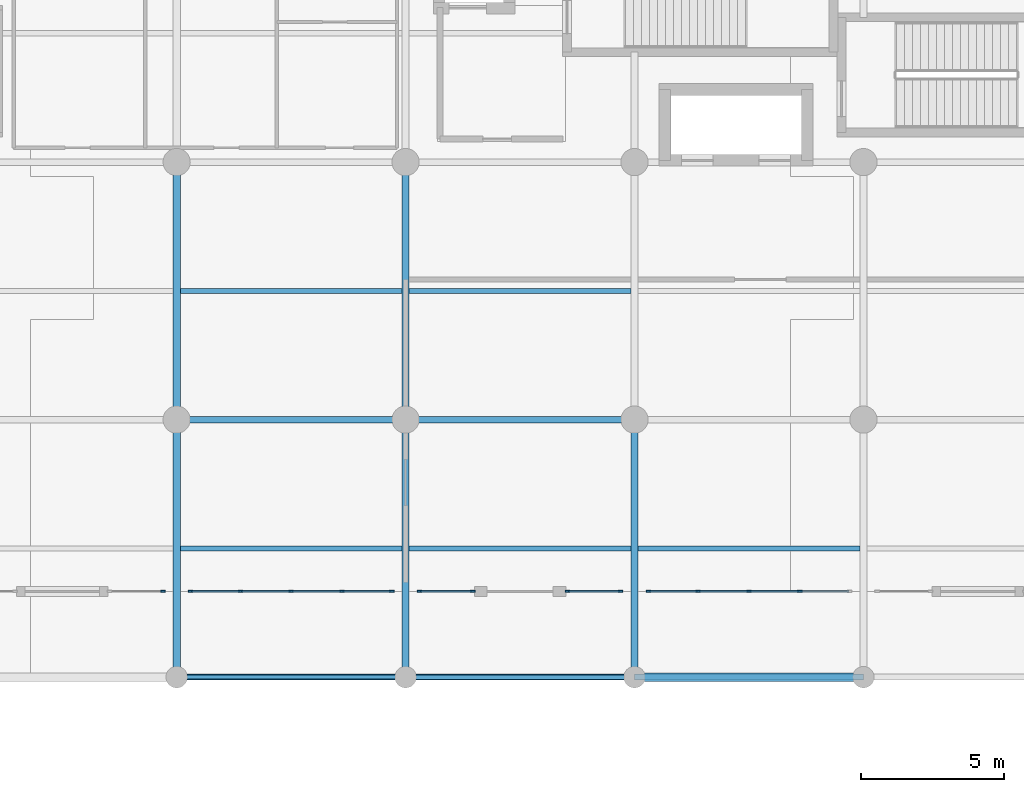
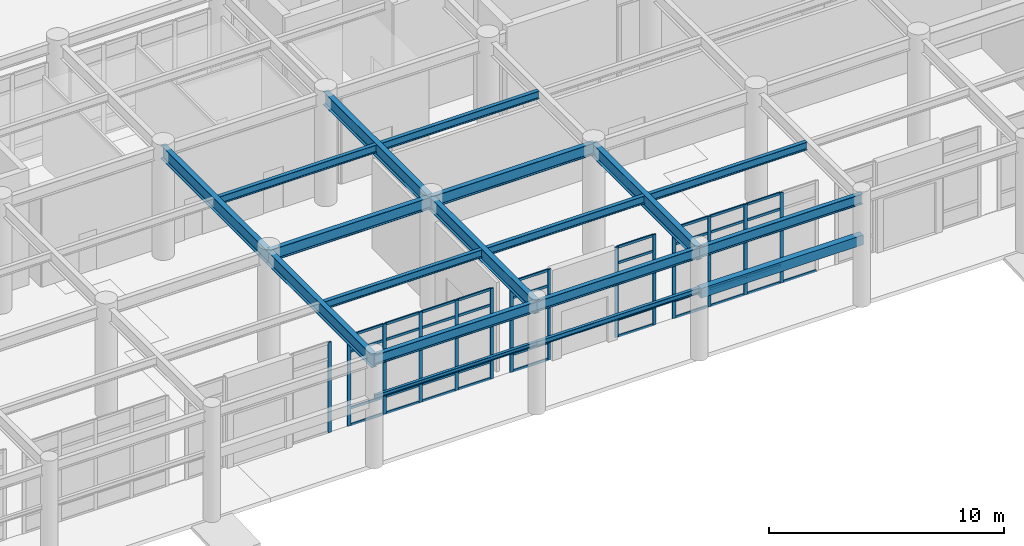
# One storey, part 12 of 49: 51 members, 18 beams, 5 elements without a shape of their own.
"""IFC4 building model written with IfcOpenShell, lengths in metres."""

from ifc_helpers import new_model, si_unit, direction, frame, origin, origin_2d, place, context, subcontext, project, spatial, rectangle, i_section, extrude, material, layer, layer_set, material_profile, profile_set, type_object, element, aggregate, save


model = new_model("IFC4")

# Units and contexts
model_context = context("Model", 3, precision=1e-05, world=origin(), true_north=direction((0.0, 1.0)))
body_context = subcontext(model_context, "Body", "Model", "MODEL_VIEW")
ifc_project = project(units=[si_unit("LENGTHUNIT", "METRE"), si_unit("AREAUNIT", "SQUARE_METRE"), si_unit("VOLUMEUNIT", "CUBIC_METRE"), si_unit("PLANEANGLEUNIT", "RADIAN"), si_unit("MASSUNIT", "GRAM", prefix="KILO")], contexts=[model_context])

# Site, building, storey
site_placement = place(None, origin())
site = spatial("IfcSite", under=ifc_project, at=site_placement, CompositionType="ELEMENT")
building_placement = place(site_placement, origin())
building = spatial("IfcBuilding", under=site, at=building_placement, Name="Tlacozan Convention Centre", CompositionType="ELEMENT")
storey_placement = place(building_placement, origin())
storey = spatial("IfcBuildingStorey", under=building, at=storey_placement, Name="L00", CompositionType="ELEMENT", Elevation=0.0)

# Curtain wall, member
ifc_material_1 = material(Name="Dark Bronze Anodised Aluminium", Category="aluminium")
ifc_layer = layer(ifc_material_1, 0.159912109375)
ifc_layer_set = layer_set([ifc_layer], Name="Dark Bronze Anodised Aluminium")
curtain_wall_type = type_object("IfcCurtainWallType", Name="Unitised Concourse Curtain Wall CW01", PredefinedType="NOTDEFINED", material=ifc_layer_set)
curtain_wall_1_placement = place(storey_placement, origin())
curtain_wall_1 = element("IfcCurtainWall", 1, at=curtain_wall_1_placement, inside=storey, type_object=curtain_wall_type, Name="L00 CW-01 Run 40", PredefinedType="NOTDEFINED")
ifc_material_profile_1 = material_profile(ifc_material_1, rectangle(XDim=0.06494140625, YDim=0.159912109375, at=origin_2d()), Name="ALU 65x160")
ifc_profile_set_1 = profile_set([ifc_material_profile_1], Name="Dark Bronze Anodised Aluminium")
member_type_1 = type_object("IfcMemberType", Name="Curtain Wall Mullion 65x160", PredefinedType="MULLION", material=ifc_profile_set_1)
member_1_placement = place(storey_placement, frame((63.517578125, 3.0, 0.0), z_axis=(0.0, 0.0, 1.0), x_axis=(0.0, 1.0, 0.0)))
member_1 = element("IfcMember", 2, at=member_1_placement, type_object=member_type_1, Name="CW-01 mullion 2", PredefinedType="MULLION", context=body_context, shape_type="SweptSolid", body=[
    extrude(rectangle(XDim=0.06494140625, YDim=0.159912109375, at=origin_2d()), origin(), (0.0, 0.0, 1.0), 4.699951171875),
])
aggregate(curtain_wall_1, [member_1])

# Curtain wall, members
curtain_wall_2_placement = place(storey_placement, origin())
curtain_wall_2 = element("IfcCurtainWall", 3, at=curtain_wall_2_placement, inside=storey, type_object=curtain_wall_type, Name="L00 CW-01 Run 41", PredefinedType="NOTDEFINED")
member_2_placement = place(storey_placement, frame((64.482421875, 3.0, 0.0), z_axis=(0.0, 0.0, 1.0), x_axis=(0.0, 1.0, 0.0)))
member_2 = element("IfcMember", 4, at=member_2_placement, type_object=member_type_1, Name="CW-01 mullion 1", PredefinedType="MULLION", context=body_context, shape_type="SweptSolid", body=[
    extrude(rectangle(XDim=0.06494140625, YDim=0.159912109375, at=origin_2d()), origin(), (0.0, 0.0, 1.0), 4.699951171875),
])
member_3_placement = place(storey_placement, frame((66.22509765625, 3.0, 0.0), z_axis=(0.0, 0.0, 1.0), x_axis=(0.0, 1.0, 0.0)))
member_3 = element("IfcMember", 5, at=member_3_placement, type_object=member_type_1, Name="CW-01 mullion 2", PredefinedType="MULLION", context=body_context, shape_type="SweptSolid", body=[
    extrude(rectangle(XDim=0.06494140625, YDim=0.159912109375, at=origin_2d()), origin(), (0.0, 0.0, 1.0), 4.699951171875),
])
member_4_placement = place(storey_placement, frame((68.0, 3.0, 0.0), z_axis=(0.0, 0.0, 1.0), x_axis=(0.0, 1.0, 0.0)))
member_4 = element("IfcMember", 6, at=member_4_placement, type_object=member_type_1, Name="CW-01 mullion 3", PredefinedType="MULLION", context=body_context, shape_type="SweptSolid", body=[
    extrude(rectangle(XDim=0.06494140625, YDim=0.159912109375, at=origin_2d()), origin(), (0.0, 0.0, 1.0), 4.699951171875),
])
member_5_placement = place(storey_placement, frame((69.77490234375, 3.0, 0.0), z_axis=(0.0, 0.0, 1.0), x_axis=(0.0, 1.0, 0.0)))
member_5 = element("IfcMember", 7, at=member_5_placement, type_object=member_type_1, Name="CW-01 mullion 4", PredefinedType="MULLION", context=body_context, shape_type="SweptSolid", body=[
    extrude(rectangle(XDim=0.06494140625, YDim=0.159912109375, at=origin_2d()), origin(), (0.0, 0.0, 1.0), 4.699951171875),
])
member_6_placement = place(storey_placement, frame((71.517578125, 3.0, 0.0), z_axis=(0.0, 0.0, 1.0), x_axis=(0.0, 1.0, 0.0)))
member_6 = element("IfcMember", 8, at=member_6_placement, type_object=member_type_1, Name="CW-01 mullion 5", PredefinedType="MULLION", context=body_context, shape_type="SweptSolid", body=[
    extrude(rectangle(XDim=0.06494140625, YDim=0.159912109375, at=origin_2d()), origin(), (0.0, 0.0, 1.0), 4.699951171875),
])

curtain_wall_3_placement = place(storey_placement, origin())
curtain_wall_3 = element("IfcCurtainWall", 9, at=curtain_wall_3_placement, inside=storey, type_object=curtain_wall_type, Name="L00 CW-01 Run 42", PredefinedType="NOTDEFINED")
member_7_placement = place(storey_placement, frame((72.482421875, 3.0, 0.0), z_axis=(0.0, 0.0, 1.0), x_axis=(0.0, 1.0, 0.0)))
member_7 = element("IfcMember", 10, at=member_7_placement, type_object=member_type_1, Name="CW-01 mullion 1", PredefinedType="MULLION", context=body_context, shape_type="SweptSolid", body=[
    extrude(rectangle(XDim=0.06494140625, YDim=0.159912109375, at=origin_2d()), origin(), (0.0, 0.0, 1.0), 4.699951171875),
])
member_8_placement = place(storey_placement, frame((74.347412109375, 3.0, 0.0), z_axis=(0.0, 0.0, 1.0), x_axis=(0.0, 1.0, 0.0)))
member_8 = element("IfcMember", 11, at=member_8_placement, type_object=member_type_1, Name="CW-01 mullion 2", PredefinedType="MULLION", context=body_context, shape_type="SweptSolid", body=[
    extrude(rectangle(XDim=0.06494140625, YDim=0.159912109375, at=origin_2d()), origin(), (0.0, 0.0, 1.0), 4.699951171875),
])

curtain_wall_4_placement = place(storey_placement, origin())
curtain_wall_4 = element("IfcCurtainWall", 12, at=curtain_wall_4_placement, inside=storey, type_object=curtain_wall_type, Name="L00 CW-01 Run 43", PredefinedType="NOTDEFINED")
member_9_placement = place(storey_placement, frame((77.652587890625, 3.0, 0.0), z_axis=(0.0, 0.0, 1.0), x_axis=(0.0, 1.0, 0.0)))
member_9 = element("IfcMember", 13, at=member_9_placement, type_object=member_type_1, Name="CW-01 mullion 1", PredefinedType="MULLION", context=body_context, shape_type="SweptSolid", body=[
    extrude(rectangle(XDim=0.06494140625, YDim=0.159912109375, at=origin_2d()), origin(), (0.0, 0.0, 1.0), 4.699951171875),
])
member_10_placement = place(storey_placement, frame((79.517578125, 3.0, 0.0), z_axis=(0.0, 0.0, 1.0), x_axis=(0.0, 1.0, 0.0)))
member_10 = element("IfcMember", 14, at=member_10_placement, type_object=member_type_1, Name="CW-01 mullion 2", PredefinedType="MULLION", context=body_context, shape_type="SweptSolid", body=[
    extrude(rectangle(XDim=0.06494140625, YDim=0.159912109375, at=origin_2d()), origin(), (0.0, 0.0, 1.0), 4.699951171875),
])

curtain_wall_5_placement = place(storey_placement, origin())
curtain_wall_5 = element("IfcCurtainWall", 15, at=curtain_wall_5_placement, inside=storey, type_object=curtain_wall_type, Name="L00 CW-01 Run 44", PredefinedType="NOTDEFINED")
member_11_placement = place(storey_placement, frame((80.482421875, 3.0, 0.0), z_axis=(0.0, 0.0, 1.0), x_axis=(0.0, 1.0, 0.0)))
member_11 = element("IfcMember", 16, at=member_11_placement, type_object=member_type_1, Name="CW-01 mullion 1", PredefinedType="MULLION", context=body_context, shape_type="SweptSolid", body=[
    extrude(rectangle(XDim=0.06494140625, YDim=0.159912109375, at=origin_2d()), origin(), (0.0, 0.0, 1.0), 4.699951171875),
])
member_12_placement = place(storey_placement, frame((82.22509765625, 3.0, 0.0), z_axis=(0.0, 0.0, 1.0), x_axis=(0.0, 1.0, 0.0)))
member_12 = element("IfcMember", 17, at=member_12_placement, type_object=member_type_1, Name="CW-01 mullion 2", PredefinedType="MULLION", context=body_context, shape_type="SweptSolid", body=[
    extrude(rectangle(XDim=0.06494140625, YDim=0.159912109375, at=origin_2d()), origin(), (0.0, 0.0, 1.0), 4.699951171875),
])
member_13_placement = place(storey_placement, frame((84.0, 3.0, 0.0), z_axis=(0.0, 0.0, 1.0), x_axis=(0.0, 1.0, 0.0)))
member_13 = element("IfcMember", 18, at=member_13_placement, type_object=member_type_1, Name="CW-01 mullion 3", PredefinedType="MULLION", context=body_context, shape_type="SweptSolid", body=[
    extrude(rectangle(XDim=0.06494140625, YDim=0.159912109375, at=origin_2d()), origin(), (0.0, 0.0, 1.0), 4.699951171875),
])
member_14_placement = place(storey_placement, frame((85.77490234375, 3.0, 0.0), z_axis=(0.0, 0.0, 1.0), x_axis=(0.0, 1.0, 0.0)))
member_14 = element("IfcMember", 19, at=member_14_placement, type_object=member_type_1, Name="CW-01 mullion 4", PredefinedType="MULLION", context=body_context, shape_type="SweptSolid", body=[
    extrude(rectangle(XDim=0.06494140625, YDim=0.159912109375, at=origin_2d()), origin(), (0.0, 0.0, 1.0), 4.699951171875),
])

# Member
ifc_material_profile_2 = material_profile(ifc_material_1, rectangle(XDim=0.06494140625, YDim=0.125, at=origin_2d()), Name="ALU 65x125")
ifc_profile_set_2 = profile_set([ifc_material_profile_2], Name="Dark Bronze Anodised Aluminium")
member_type_2 = type_object("IfcMemberType", Name="Curtain Wall Transom 65x125", PredefinedType="USERDEFINED", material=ifc_profile_set_2)
member_15_placement = place(storey_placement, frame((64.514892578125, 3.0, 0.032470703125), z_axis=(1.0, 0.0, 0.0), x_axis=(0.0, 1.0, 0.0)))
member_15 = element("IfcMember", 20, at=member_15_placement, type_object=member_type_2, Name="CW-01 transom 1.1", ObjectType="TRANSOM", PredefinedType="USERDEFINED", context=body_context, shape_type="SweptSolid", body=[
    extrude(rectangle(XDim=0.06494140625, YDim=0.125, at=origin_2d()), origin(), (0.0, 0.0, 1.0), 1.677490234375),
])

member_16_placement = place(storey_placement, frame((64.514892578125, 3.0, 0.89990234375), z_axis=(1.0, 0.0, 0.0), x_axis=(0.0, 1.0, 0.0)))
member_16 = element("IfcMember", 21, at=member_16_placement, type_object=member_type_2, Name="CW-01 transom 1.2", ObjectType="TRANSOM", PredefinedType="USERDEFINED", context=body_context, shape_type="SweptSolid", body=[
    extrude(rectangle(XDim=0.06494140625, YDim=0.125, at=origin_2d()), origin(), (0.0, 0.0, 1.0), 1.677490234375),
])

member_17_placement = place(storey_placement, frame((64.514892578125, 3.0, 3.85009765625), z_axis=(1.0, 0.0, 0.0), x_axis=(0.0, 1.0, 0.0)))
member_17 = element("IfcMember", 22, at=member_17_placement, type_object=member_type_2, Name="CW-01 transom 1.3", ObjectType="TRANSOM", PredefinedType="USERDEFINED", context=body_context, shape_type="SweptSolid", body=[
    extrude(rectangle(XDim=0.06494140625, YDim=0.125, at=origin_2d()), origin(), (0.0, 0.0, 1.0), 1.677490234375),
])

member_18_placement = place(storey_placement, frame((64.514892578125, 3.0, 4.66748046875), z_axis=(1.0, 0.0, 0.0), x_axis=(0.0, 1.0, 0.0)))
member_18 = element("IfcMember", 23, at=member_18_placement, type_object=member_type_2, Name="CW-01 transom 1.4", ObjectType="TRANSOM", PredefinedType="USERDEFINED", context=body_context, shape_type="SweptSolid", body=[
    extrude(rectangle(XDim=0.06494140625, YDim=0.125, at=origin_2d()), origin(), (0.0, 0.0, 1.0), 1.677490234375),
])

member_19_placement = place(storey_placement, frame((66.257568359375, 3.0, 0.032470703125), z_axis=(1.0, 0.0, 0.0), x_axis=(0.0, 1.0, 0.0)))
member_19 = element("IfcMember", 24, at=member_19_placement, type_object=member_type_2, Name="CW-01 transom 2.1", ObjectType="TRANSOM", PredefinedType="USERDEFINED", context=body_context, shape_type="SweptSolid", body=[
    extrude(rectangle(XDim=0.06494140625, YDim=0.125, at=origin_2d()), origin(), (0.0, 0.0, 1.0), 1.7099609375),
])

member_20_placement = place(storey_placement, frame((66.257568359375, 3.0, 0.89990234375), z_axis=(1.0, 0.0, 0.0), x_axis=(0.0, 1.0, 0.0)))
member_20 = element("IfcMember", 25, at=member_20_placement, type_object=member_type_2, Name="CW-01 transom 2.2", ObjectType="TRANSOM", PredefinedType="USERDEFINED", context=body_context, shape_type="SweptSolid", body=[
    extrude(rectangle(XDim=0.06494140625, YDim=0.125, at=origin_2d()), origin(), (0.0, 0.0, 1.0), 1.7099609375),
])

member_21_placement = place(storey_placement, frame((66.257568359375, 3.0, 3.85009765625), z_axis=(1.0, 0.0, 0.0), x_axis=(0.0, 1.0, 0.0)))
member_21 = element("IfcMember", 26, at=member_21_placement, type_object=member_type_2, Name="CW-01 transom 2.3", ObjectType="TRANSOM", PredefinedType="USERDEFINED", context=body_context, shape_type="SweptSolid", body=[
    extrude(rectangle(XDim=0.06494140625, YDim=0.125, at=origin_2d()), origin(), (0.0, 0.0, 1.0), 1.7099609375),
])

member_22_placement = place(storey_placement, frame((66.257568359375, 3.0, 4.66748046875), z_axis=(1.0, 0.0, 0.0), x_axis=(0.0, 1.0, 0.0)))
member_22 = element("IfcMember", 27, at=member_22_placement, type_object=member_type_2, Name="CW-01 transom 2.4", ObjectType="TRANSOM", PredefinedType="USERDEFINED", context=body_context, shape_type="SweptSolid", body=[
    extrude(rectangle(XDim=0.06494140625, YDim=0.125, at=origin_2d()), origin(), (0.0, 0.0, 1.0), 1.7099609375),
])

member_23_placement = place(storey_placement, frame((68.032470703125, 3.0, 0.032470703125), z_axis=(1.0, 0.0, 0.0), x_axis=(0.0, 1.0, 0.0)))
member_23 = element("IfcMember", 28, at=member_23_placement, type_object=member_type_2, Name="CW-01 transom 3.1", ObjectType="TRANSOM", PredefinedType="USERDEFINED", context=body_context, shape_type="SweptSolid", body=[
    extrude(rectangle(XDim=0.06494140625, YDim=0.125, at=origin_2d()), origin(), (0.0, 0.0, 1.0), 1.7099609375),
])

member_24_placement = place(storey_placement, frame((68.032470703125, 3.0, 0.89990234375), z_axis=(1.0, 0.0, 0.0), x_axis=(0.0, 1.0, 0.0)))
member_24 = element("IfcMember", 29, at=member_24_placement, type_object=member_type_2, Name="CW-01 transom 3.2", ObjectType="TRANSOM", PredefinedType="USERDEFINED", context=body_context, shape_type="SweptSolid", body=[
    extrude(rectangle(XDim=0.06494140625, YDim=0.125, at=origin_2d()), origin(), (0.0, 0.0, 1.0), 1.7099609375),
])

member_25_placement = place(storey_placement, frame((68.032470703125, 3.0, 3.85009765625), z_axis=(1.0, 0.0, 0.0), x_axis=(0.0, 1.0, 0.0)))
member_25 = element("IfcMember", 30, at=member_25_placement, type_object=member_type_2, Name="CW-01 transom 3.3", ObjectType="TRANSOM", PredefinedType="USERDEFINED", context=body_context, shape_type="SweptSolid", body=[
    extrude(rectangle(XDim=0.06494140625, YDim=0.125, at=origin_2d()), origin(), (0.0, 0.0, 1.0), 1.7099609375),
])

member_26_placement = place(storey_placement, frame((68.032470703125, 3.0, 4.66748046875), z_axis=(1.0, 0.0, 0.0), x_axis=(0.0, 1.0, 0.0)))
member_26 = element("IfcMember", 31, at=member_26_placement, type_object=member_type_2, Name="CW-01 transom 3.4", ObjectType="TRANSOM", PredefinedType="USERDEFINED", context=body_context, shape_type="SweptSolid", body=[
    extrude(rectangle(XDim=0.06494140625, YDim=0.125, at=origin_2d()), origin(), (0.0, 0.0, 1.0), 1.7099609375),
])

member_27_placement = place(storey_placement, frame((69.8076171875, 3.0, 0.032470703125), z_axis=(1.0, 0.0, 0.0), x_axis=(0.0, 1.0, 0.0)))
member_27 = element("IfcMember", 32, at=member_27_placement, type_object=member_type_2, Name="CW-01 transom 4.1", ObjectType="TRANSOM", PredefinedType="USERDEFINED", context=body_context, shape_type="SweptSolid", body=[
    extrude(rectangle(XDim=0.06494140625, YDim=0.125, at=origin_2d()), origin(), (0.0, 0.0, 1.0), 1.677490234375),
])

member_28_placement = place(storey_placement, frame((69.8076171875, 3.0, 0.89990234375), z_axis=(1.0, 0.0, 0.0), x_axis=(0.0, 1.0, 0.0)))
member_28 = element("IfcMember", 33, at=member_28_placement, type_object=member_type_2, Name="CW-01 transom 4.2", ObjectType="TRANSOM", PredefinedType="USERDEFINED", context=body_context, shape_type="SweptSolid", body=[
    extrude(rectangle(XDim=0.06494140625, YDim=0.125, at=origin_2d()), origin(), (0.0, 0.0, 1.0), 1.677490234375),
])

member_29_placement = place(storey_placement, frame((69.8076171875, 3.0, 3.85009765625), z_axis=(1.0, 0.0, 0.0), x_axis=(0.0, 1.0, 0.0)))
member_29 = element("IfcMember", 34, at=member_29_placement, type_object=member_type_2, Name="CW-01 transom 4.3", ObjectType="TRANSOM", PredefinedType="USERDEFINED", context=body_context, shape_type="SweptSolid", body=[
    extrude(rectangle(XDim=0.06494140625, YDim=0.125, at=origin_2d()), origin(), (0.0, 0.0, 1.0), 1.677490234375),
])

member_30_placement = place(storey_placement, frame((69.8076171875, 3.0, 4.66748046875), z_axis=(1.0, 0.0, 0.0), x_axis=(0.0, 1.0, 0.0)))
member_30 = element("IfcMember", 35, at=member_30_placement, type_object=member_type_2, Name="CW-01 transom 4.4", ObjectType="TRANSOM", PredefinedType="USERDEFINED", context=body_context, shape_type="SweptSolid", body=[
    extrude(rectangle(XDim=0.06494140625, YDim=0.125, at=origin_2d()), origin(), (0.0, 0.0, 1.0), 1.677490234375),
])

aggregate(curtain_wall_2, [member_2, member_3, member_4, member_5, member_6, member_15, member_16, member_17, member_18, member_19, member_20, member_21, member_22, member_23, member_24, member_25, member_26, member_27, member_28, member_29, member_30])

member_31_placement = place(storey_placement, frame((72.514892578125, 3.0, 0.032470703125), z_axis=(1.0, 0.0, 0.0), x_axis=(0.0, 1.0, 0.0)))
member_31 = element("IfcMember", 36, at=member_31_placement, type_object=member_type_2, Name="CW-01 transom 1.1", ObjectType="TRANSOM", PredefinedType="USERDEFINED", context=body_context, shape_type="SweptSolid", body=[
    extrude(rectangle(XDim=0.06494140625, YDim=0.125, at=origin_2d()), origin(), (0.0, 0.0, 1.0), 1.800048828125),
])

member_32_placement = place(storey_placement, frame((72.514892578125, 3.0, 0.89990234375), z_axis=(1.0, 0.0, 0.0), x_axis=(0.0, 1.0, 0.0)))
member_32 = element("IfcMember", 37, at=member_32_placement, type_object=member_type_2, Name="CW-01 transom 1.2", ObjectType="TRANSOM", PredefinedType="USERDEFINED", context=body_context, shape_type="SweptSolid", body=[
    extrude(rectangle(XDim=0.06494140625, YDim=0.125, at=origin_2d()), origin(), (0.0, 0.0, 1.0), 1.800048828125),
])

member_33_placement = place(storey_placement, frame((72.514892578125, 3.0, 3.85009765625), z_axis=(1.0, 0.0, 0.0), x_axis=(0.0, 1.0, 0.0)))
member_33 = element("IfcMember", 38, at=member_33_placement, type_object=member_type_2, Name="CW-01 transom 1.3", ObjectType="TRANSOM", PredefinedType="USERDEFINED", context=body_context, shape_type="SweptSolid", body=[
    extrude(rectangle(XDim=0.06494140625, YDim=0.125, at=origin_2d()), origin(), (0.0, 0.0, 1.0), 1.800048828125),
])

member_34_placement = place(storey_placement, frame((72.514892578125, 3.0, 4.66748046875), z_axis=(1.0, 0.0, 0.0), x_axis=(0.0, 1.0, 0.0)))
member_34 = element("IfcMember", 39, at=member_34_placement, type_object=member_type_2, Name="CW-01 transom 1.4", ObjectType="TRANSOM", PredefinedType="USERDEFINED", context=body_context, shape_type="SweptSolid", body=[
    extrude(rectangle(XDim=0.06494140625, YDim=0.125, at=origin_2d()), origin(), (0.0, 0.0, 1.0), 1.800048828125),
])

aggregate(curtain_wall_3, [member_7, member_8, member_31, member_32, member_33, member_34])

member_35_placement = place(storey_placement, frame((77.68505859375, 3.0, 0.032470703125), z_axis=(1.0, 0.0, 0.0), x_axis=(0.0, 1.0, 0.0)))
member_35 = element("IfcMember", 40, at=member_35_placement, type_object=member_type_2, Name="CW-01 transom 1.1", ObjectType="TRANSOM", PredefinedType="USERDEFINED", context=body_context, shape_type="SweptSolid", body=[
    extrude(rectangle(XDim=0.06494140625, YDim=0.125, at=origin_2d()), origin(), (0.0, 0.0, 1.0), 1.800048828125),
])

member_36_placement = place(storey_placement, frame((77.68505859375, 3.0, 0.89990234375), z_axis=(1.0, 0.0, 0.0), x_axis=(0.0, 1.0, 0.0)))
member_36 = element("IfcMember", 41, at=member_36_placement, type_object=member_type_2, Name="CW-01 transom 1.2", ObjectType="TRANSOM", PredefinedType="USERDEFINED", context=body_context, shape_type="SweptSolid", body=[
    extrude(rectangle(XDim=0.06494140625, YDim=0.125, at=origin_2d()), origin(), (0.0, 0.0, 1.0), 1.800048828125),
])

member_37_placement = place(storey_placement, frame((77.68505859375, 3.0, 3.85009765625), z_axis=(1.0, 0.0, 0.0), x_axis=(0.0, 1.0, 0.0)))
member_37 = element("IfcMember", 42, at=member_37_placement, type_object=member_type_2, Name="CW-01 transom 1.3", ObjectType="TRANSOM", PredefinedType="USERDEFINED", context=body_context, shape_type="SweptSolid", body=[
    extrude(rectangle(XDim=0.06494140625, YDim=0.125, at=origin_2d()), origin(), (0.0, 0.0, 1.0), 1.800048828125),
])

member_38_placement = place(storey_placement, frame((77.68505859375, 3.0, 4.66748046875), z_axis=(1.0, 0.0, 0.0), x_axis=(0.0, 1.0, 0.0)))
member_38 = element("IfcMember", 43, at=member_38_placement, type_object=member_type_2, Name="CW-01 transom 1.4", ObjectType="TRANSOM", PredefinedType="USERDEFINED", context=body_context, shape_type="SweptSolid", body=[
    extrude(rectangle(XDim=0.06494140625, YDim=0.125, at=origin_2d()), origin(), (0.0, 0.0, 1.0), 1.800048828125),
])

aggregate(curtain_wall_4, [member_9, member_10, member_35, member_36, member_37, member_38])

member_39_placement = place(storey_placement, frame((80.514892578125, 3.0, 0.032470703125), z_axis=(1.0, 0.0, 0.0), x_axis=(0.0, 1.0, 0.0)))
member_39 = element("IfcMember", 44, at=member_39_placement, type_object=member_type_2, Name="CW-01 transom 1.1", ObjectType="TRANSOM", PredefinedType="USERDEFINED", context=body_context, shape_type="SweptSolid", body=[
    extrude(rectangle(XDim=0.06494140625, YDim=0.125, at=origin_2d()), origin(), (0.0, 0.0, 1.0), 1.677490234375),
])

member_40_placement = place(storey_placement, frame((80.514892578125, 3.0, 0.89990234375), z_axis=(1.0, 0.0, 0.0), x_axis=(0.0, 1.0, 0.0)))
member_40 = element("IfcMember", 45, at=member_40_placement, type_object=member_type_2, Name="CW-01 transom 1.2", ObjectType="TRANSOM", PredefinedType="USERDEFINED", context=body_context, shape_type="SweptSolid", body=[
    extrude(rectangle(XDim=0.06494140625, YDim=0.125, at=origin_2d()), origin(), (0.0, 0.0, 1.0), 1.677490234375),
])

member_41_placement = place(storey_placement, frame((80.514892578125, 3.0, 3.85009765625), z_axis=(1.0, 0.0, 0.0), x_axis=(0.0, 1.0, 0.0)))
member_41 = element("IfcMember", 46, at=member_41_placement, type_object=member_type_2, Name="CW-01 transom 1.3", ObjectType="TRANSOM", PredefinedType="USERDEFINED", context=body_context, shape_type="SweptSolid", body=[
    extrude(rectangle(XDim=0.06494140625, YDim=0.125, at=origin_2d()), origin(), (0.0, 0.0, 1.0), 1.677490234375),
])

member_42_placement = place(storey_placement, frame((80.514892578125, 3.0, 4.66748046875), z_axis=(1.0, 0.0, 0.0), x_axis=(0.0, 1.0, 0.0)))
member_42 = element("IfcMember", 47, at=member_42_placement, type_object=member_type_2, Name="CW-01 transom 1.4", ObjectType="TRANSOM", PredefinedType="USERDEFINED", context=body_context, shape_type="SweptSolid", body=[
    extrude(rectangle(XDim=0.06494140625, YDim=0.125, at=origin_2d()), origin(), (0.0, 0.0, 1.0), 1.677490234375),
])

member_43_placement = place(storey_placement, frame((82.257568359375, 3.0, 0.032470703125), z_axis=(1.0, 0.0, 0.0), x_axis=(0.0, 1.0, 0.0)))
member_43 = element("IfcMember", 48, at=member_43_placement, type_object=member_type_2, Name="CW-01 transom 2.1", ObjectType="TRANSOM", PredefinedType="USERDEFINED", context=body_context, shape_type="SweptSolid", body=[
    extrude(rectangle(XDim=0.06494140625, YDim=0.125, at=origin_2d()), origin(), (0.0, 0.0, 1.0), 1.7099609375),
])

member_44_placement = place(storey_placement, frame((82.257568359375, 3.0, 0.89990234375), z_axis=(1.0, 0.0, 0.0), x_axis=(0.0, 1.0, 0.0)))
member_44 = element("IfcMember", 49, at=member_44_placement, type_object=member_type_2, Name="CW-01 transom 2.2", ObjectType="TRANSOM", PredefinedType="USERDEFINED", context=body_context, shape_type="SweptSolid", body=[
    extrude(rectangle(XDim=0.06494140625, YDim=0.125, at=origin_2d()), origin(), (0.0, 0.0, 1.0), 1.7099609375),
])

member_45_placement = place(storey_placement, frame((82.257568359375, 3.0, 3.85009765625), z_axis=(1.0, 0.0, 0.0), x_axis=(0.0, 1.0, 0.0)))
member_45 = element("IfcMember", 50, at=member_45_placement, type_object=member_type_2, Name="CW-01 transom 2.3", ObjectType="TRANSOM", PredefinedType="USERDEFINED", context=body_context, shape_type="SweptSolid", body=[
    extrude(rectangle(XDim=0.06494140625, YDim=0.125, at=origin_2d()), origin(), (0.0, 0.0, 1.0), 1.7099609375),
])

member_46_placement = place(storey_placement, frame((82.257568359375, 3.0, 4.66748046875), z_axis=(1.0, 0.0, 0.0), x_axis=(0.0, 1.0, 0.0)))
member_46 = element("IfcMember", 51, at=member_46_placement, type_object=member_type_2, Name="CW-01 transom 2.4", ObjectType="TRANSOM", PredefinedType="USERDEFINED", context=body_context, shape_type="SweptSolid", body=[
    extrude(rectangle(XDim=0.06494140625, YDim=0.125, at=origin_2d()), origin(), (0.0, 0.0, 1.0), 1.7099609375),
])

member_47_placement = place(storey_placement, frame((84.032470703125, 3.0, 0.032470703125), z_axis=(1.0, 0.0, 0.0), x_axis=(0.0, 1.0, 0.0)))
member_47 = element("IfcMember", 52, at=member_47_placement, type_object=member_type_2, Name="CW-01 transom 3.1", ObjectType="TRANSOM", PredefinedType="USERDEFINED", context=body_context, shape_type="SweptSolid", body=[
    extrude(rectangle(XDim=0.06494140625, YDim=0.125, at=origin_2d()), origin(), (0.0, 0.0, 1.0), 1.7099609375),
])

member_48_placement = place(storey_placement, frame((84.032470703125, 3.0, 0.89990234375), z_axis=(1.0, 0.0, 0.0), x_axis=(0.0, 1.0, 0.0)))
member_48 = element("IfcMember", 53, at=member_48_placement, type_object=member_type_2, Name="CW-01 transom 3.2", ObjectType="TRANSOM", PredefinedType="USERDEFINED", context=body_context, shape_type="SweptSolid", body=[
    extrude(rectangle(XDim=0.06494140625, YDim=0.125, at=origin_2d()), origin(), (0.0, 0.0, 1.0), 1.7099609375),
])

member_49_placement = place(storey_placement, frame((84.032470703125, 3.0, 3.85009765625), z_axis=(1.0, 0.0, 0.0), x_axis=(0.0, 1.0, 0.0)))
member_49 = element("IfcMember", 54, at=member_49_placement, type_object=member_type_2, Name="CW-01 transom 3.3", ObjectType="TRANSOM", PredefinedType="USERDEFINED", context=body_context, shape_type="SweptSolid", body=[
    extrude(rectangle(XDim=0.06494140625, YDim=0.125, at=origin_2d()), origin(), (0.0, 0.0, 1.0), 1.7099609375),
])

member_50_placement = place(storey_placement, frame((84.032470703125, 3.0, 4.66748046875), z_axis=(1.0, 0.0, 0.0), x_axis=(0.0, 1.0, 0.0)))
member_50 = element("IfcMember", 55, at=member_50_placement, type_object=member_type_2, Name="CW-01 transom 3.4", ObjectType="TRANSOM", PredefinedType="USERDEFINED", context=body_context, shape_type="SweptSolid", body=[
    extrude(rectangle(XDim=0.06494140625, YDim=0.125, at=origin_2d()), origin(), (0.0, 0.0, 1.0), 1.7099609375),
])

member_51_placement = place(storey_placement, frame((85.8076171875, 3.0, 0.032470703125), z_axis=(1.0, 0.0, 0.0), x_axis=(0.0, 1.0, 0.0)))
member_51 = element("IfcMember", 56, at=member_51_placement, type_object=member_type_2, Name="CW-01 transom 4.1", ObjectType="TRANSOM", PredefinedType="USERDEFINED", context=body_context, shape_type="SweptSolid", body=[
    extrude(rectangle(XDim=0.06494140625, YDim=0.125, at=origin_2d()), origin(), (0.0, 0.0, 1.0), 1.677490234375),
])

aggregate(curtain_wall_5, [member_11, member_12, member_13, member_14, member_39, member_40, member_41, member_42, member_43, member_44, member_45, member_46, member_47, member_48, member_49, member_50, member_51])

# Beams
ifc_material_2 = material(Name="Steel ASTM A992 Grade 50", Category="steel")
ifc_material_profile_3 = material_profile(ifc_material_2, i_section(OverallWidth=0.22900390625, OverallDepth=0.612060546875, WebThickness=0.011962890625, FlangeThickness=0.01953125, FilletRadius=0.012939453125, at=origin_2d()), Name="IR 610x125.0")
ifc_profile_set_3 = profile_set([ifc_material_profile_3], Name="Steel ASTM A992 Grade 50")
beam_type_1 = type_object("IfcBeamType", Name="Floor Beam IR 610x125", PredefinedType="BEAM", material=ifc_profile_set_3)
for number, where, z_axis, x_axis, name in (
    (57, (64.0, 9.0, 5.4140625), (1.0, 0.0, 0.0), (0.0, 1.0, 0.0), "L00 Floor Beam IR 610x125 211"),
    (58, (72.0, 9.0, 5.4140625), (1.0, 0.0, 0.0), (0.0, 1.0, 0.0), "L00 Floor Beam IR 610x125 215"),
):
    element("IfcBeam", number, at=place(storey_placement, frame(where, z_axis=z_axis, x_axis=x_axis)), inside=storey, type_object=beam_type_1, Name=name, PredefinedType="BEAM", context=body_context, shape_type="SweptSolid", body=[
        extrude(i_section(OverallWidth=0.22900390625, OverallDepth=0.612060546875, WebThickness=0.011962890625, FlangeThickness=0.01953125, FilletRadius=0.012939453125, at=origin_2d()), origin(), (0.0, 0.0, 1.0), 8.0),
    ])
ifc_material_profile_4 = material_profile(ifc_material_2, i_section(OverallWidth=0.256103515625, OverallDepth=0.693115234375, WebThickness=0.014404296875, FlangeThickness=0.023681640625, FilletRadius=0.014892578125, at=origin_2d()), Name="IR 686x170.0")
ifc_profile_set_4 = profile_set([ifc_material_profile_4], Name="Steel ASTM A992 Grade 50")
beam_type_2 = type_object("IfcBeamType", Name="Girder Steel IR 686x170", PredefinedType="BEAM", material=ifc_profile_set_4)
for number, where, z_axis, x_axis, name in (
    (59, (64.0, 0.0, 5.37353515625), (0.0, 1.0, 0.0), (-1.0, 0.0, 0.0), "L00 Girder Steel IR 686x170 147"),
    (60, (64.0, 9.0, 5.37353515625), (0.0, 1.0, 0.0), (-1.0, 0.0, 0.0), "L00 Girder Steel IR 686x170 148"),
    (61, (72.0, 0.0, 5.37353515625), (0.0, 1.0, 0.0), (-1.0, 0.0, 0.0), "L00 Girder Steel IR 686x170 150"),
    (62, (72.0, 9.0, 5.37353515625), (0.0, 1.0, 0.0), (-1.0, 0.0, 0.0), "L00 Girder Steel IR 686x170 151"),
    (63, (80.0, 0.0, 5.37353515625), (0.0, 1.0, 0.0), (-1.0, 0.0, 0.0), "L00 Girder Steel IR 686x170 153"),
):
    element("IfcBeam", number, at=place(storey_placement, frame(where, z_axis=z_axis, x_axis=x_axis)), inside=storey, type_object=beam_type_2, Name=name, PredefinedType="BEAM", context=body_context, shape_type="SweptSolid", body=[
        extrude(i_section(OverallWidth=0.256103515625, OverallDepth=0.693115234375, WebThickness=0.014404296875, FlangeThickness=0.023681640625, FilletRadius=0.014892578125, at=origin_2d()), origin(), (0.0, 0.0, 1.0), 9.0),
    ])
ifc_material_profile_5 = material_profile(ifc_material_2, i_section(OverallWidth=0.134033203125, OverallDepth=0.2099609375, WebThickness=0.00634765625, FlangeThickness=0.01025390625, FilletRadius=0.008056640625, at=origin_2d()), Name="IR 203x31.3")
ifc_profile_set_5 = profile_set([ifc_material_profile_5], Name="Steel ASTM A992 Grade 50")
beam_type_3 = type_object("IfcBeamType", Name="Opening Lintel IR 203x31.3", PredefinedType="LINTEL", material=ifc_profile_set_5)
beam_1_placement = place(storey_placement, frame((64.0, 0.0, 3.4951171875), z_axis=(1.0, 0.0, 0.0), x_axis=(0.0, 1.0, 0.0)))
element("IfcBeam", 64, at=beam_1_placement, inside=storey, type_object=beam_type_3, Name="L00 Opening Lintel IR 203x31.3 1730", PredefinedType="LINTEL", context=body_context, shape_type="SweptSolid", body=[
    extrude(i_section(OverallWidth=0.134033203125, OverallDepth=0.2099609375, WebThickness=0.00634765625, FlangeThickness=0.01025390625, FilletRadius=0.008056640625, at=origin_2d()), origin(), (0.0, 0.0, 1.0), 8.0),
])
ifc_material_profile_6 = material_profile(ifc_material_2, i_section(OverallWidth=0.14697265625, OverallDepth=0.261962890625, WebThickness=0.006591796875, FlangeThickness=0.01123046875, FilletRadius=0.008056640625, at=origin_2d()), Name="IR 254x38.5")
ifc_profile_set_6 = profile_set([ifc_material_profile_6], Name="Steel ASTM A992 Grade 50")
beam_type_4 = type_object("IfcBeamType", Name="Opening Lintel IR 254x38.5", PredefinedType="LINTEL", material=ifc_profile_set_6)
beam_2_placement = place(storey_placement, frame((72.0, 0.0, 3.468994140625), z_axis=(1.0, 0.0, 0.0), x_axis=(0.0, 1.0, 0.0)))
element("IfcBeam", 65, at=beam_2_placement, inside=storey, type_object=beam_type_4, Name="L00 Opening Lintel IR 254x38.5 1731", PredefinedType="LINTEL", context=body_context, shape_type="SweptSolid", body=[
    extrude(i_section(OverallWidth=0.14697265625, OverallDepth=0.261962890625, WebThickness=0.006591796875, FlangeThickness=0.01123046875, FilletRadius=0.008056640625, at=origin_2d()), origin(), (0.0, 0.0, 1.0), 8.0),
])
ifc_material_3 = material(Name="Concrete C40/50", Category="concrete")
ifc_material_profile_7 = material_profile(ifc_material_3, rectangle(XDim=0.300048828125, YDim=0.5, at=origin_2d()), Name="RC 300x500")
ifc_profile_set_7 = profile_set([ifc_material_profile_7], Name="Concrete C40/50")
beam_type_5 = type_object("IfcBeamType", Name="Opening Lintel RC 300x500", PredefinedType="LINTEL", material=ifc_profile_set_7)
beam_3_placement = place(storey_placement, frame((80.0, 0.0, 3.35009765625), z_axis=(1.0, 0.0, 0.0), x_axis=(0.0, 1.0, 0.0)))
element("IfcBeam", 66, at=beam_3_placement, inside=storey, type_object=beam_type_5, Name="L00 Opening Lintel RC 300x500 1732", PredefinedType="LINTEL", context=body_context, shape_type="SweptSolid", body=[
    extrude(rectangle(XDim=0.300048828125, YDim=0.5, at=origin_2d()), origin(), (0.0, 0.0, 1.0), 8.0),
])
ifc_material_profile_8 = material_profile(ifc_material_2, i_section(OverallWidth=0.2109375, OverallDepth=0.5390625, WebThickness=0.01171875, FlangeThickness=0.018798828125, FilletRadius=0.012939453125, at=origin_2d()), Name="IR 533x109.0")
ifc_profile_set_8 = profile_set([ifc_material_profile_8], Name="Steel ASTM A992 Grade 50")
beam_type_6 = type_object("IfcBeamType", Name="Perimeter Spandrel IR 533x109", PredefinedType="SPANDREL", material=ifc_profile_set_8)
for number, where, z_axis, x_axis, name in (
    (67, (64.0, 0.0, 5.450439453125), (1.0, 0.0, 0.0), (0.0, 1.0, 0.0), "L00 Perimeter Spandrel IR 533x109 210"),
    (68, (72.0, 0.0, 5.450439453125), (1.0, 0.0, 0.0), (0.0, 1.0, 0.0), "L00 Perimeter Spandrel IR 533x109 214"),
    (69, (80.0, 0.0, 5.450439453125), (1.0, 0.0, 0.0), (0.0, 1.0, 0.0), "L00 Perimeter Spandrel IR 533x109 218"),
):
    element("IfcBeam", number, at=place(storey_placement, frame(where, z_axis=z_axis, x_axis=x_axis)), inside=storey, type_object=beam_type_6, Name=name, PredefinedType="SPANDREL", context=body_context, shape_type="SweptSolid", body=[
        extrude(i_section(OverallWidth=0.2109375, OverallDepth=0.5390625, WebThickness=0.01171875, FlangeThickness=0.018798828125, FilletRadius=0.012939453125, at=origin_2d()), origin(), (0.0, 0.0, 1.0), 8.0),
    ])
ifc_material_profile_9 = material_profile(ifc_material_2, i_section(OverallWidth=0.179931640625, OverallDepth=0.4130859375, WebThickness=0.009765625, FlangeThickness=0.01611328125, FilletRadius=0.010986328125, at=origin_2d()), Name="IR 406x74.4")
ifc_profile_set_9 = profile_set([ifc_material_profile_9], Name="Steel ASTM A992 Grade 50")
beam_type_7 = type_object("IfcBeamType", Name="Secondary Joist IR 406x74.4", PredefinedType="JOIST", material=ifc_profile_set_9)
for number, where, z_axis, x_axis, name in (
    (70, (64.1259765625, 4.5, 5.513427734375), (1.0, 0.0, 0.0), (0.0, 1.0, 0.0), "L00 Secondary Joist IR 406x74.4 245"),
    (71, (64.1259765625, 13.5, 5.513427734375), (1.0, 0.0, 0.0), (0.0, 1.0, 0.0), "L00 Secondary Joist IR 406x74.4 246"),
    (72, (72.1259765625, 4.5, 5.513427734375), (1.0, 0.0, 0.0), (0.0, 1.0, 0.0), "L00 Secondary Joist IR 406x74.4 248"),
    (73, (72.1259765625, 13.5, 5.513427734375), (1.0, 0.0, 0.0), (0.0, 1.0, 0.0), "L00 Secondary Joist IR 406x74.4 249"),
    (74, (80.1259765625, 4.5, 5.513427734375), (1.0, 0.0, 0.0), (0.0, 1.0, 0.0), "L00 Secondary Joist IR 406x74.4 251"),
):
    element("IfcBeam", number, at=place(storey_placement, frame(where, z_axis=z_axis, x_axis=x_axis)), inside=storey, type_object=beam_type_7, Name=name, PredefinedType="JOIST", context=body_context, shape_type="SweptSolid", body=[
        extrude(i_section(OverallWidth=0.179931640625, OverallDepth=0.4130859375, WebThickness=0.009765625, FlangeThickness=0.01611328125, FilletRadius=0.010986328125, at=origin_2d()), origin(), (0.0, 0.0, 1.0), 7.748046875),
    ])

save(model, "model.ifc")
